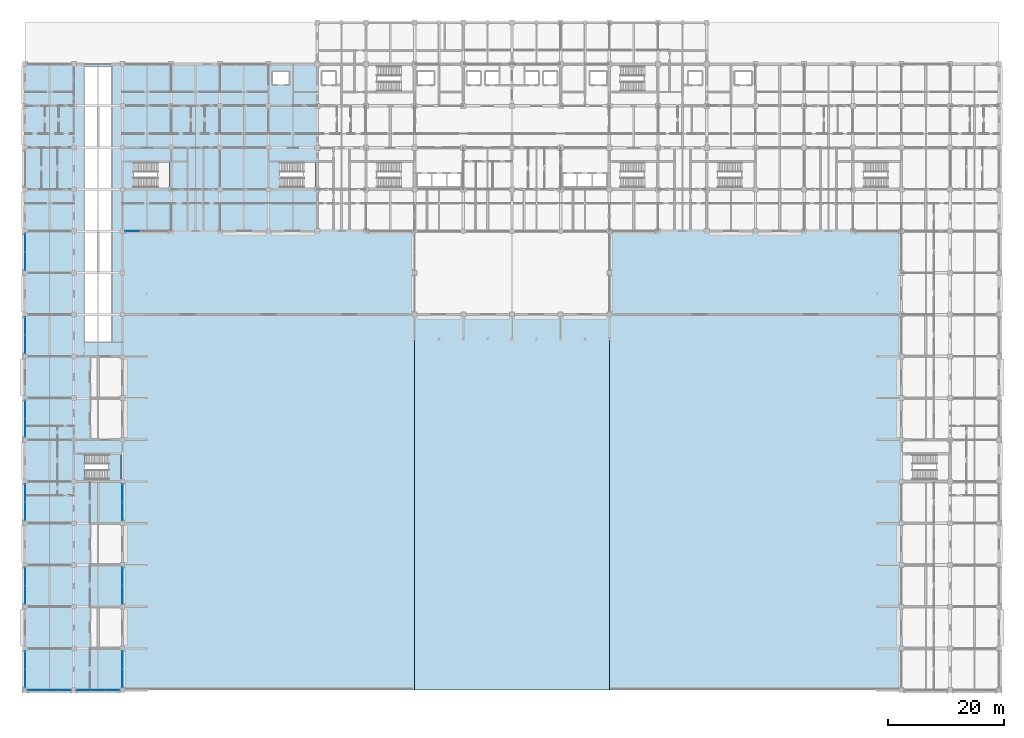
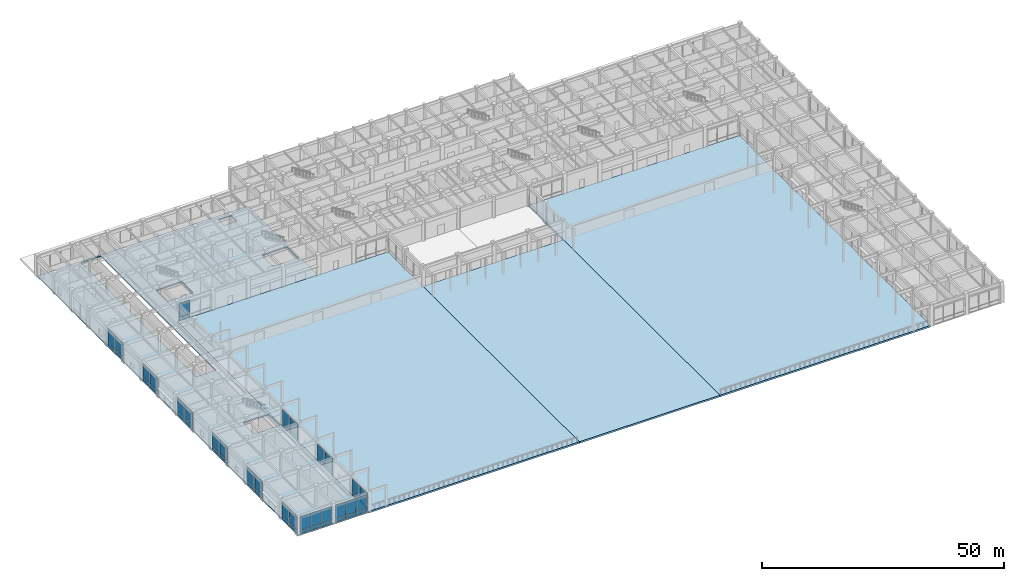
# One storey, part 33 of 73: 50 plates, 5 slabs, 13 elements without a shape of their own.
"""IFC4 building model written with IfcOpenShell, lengths in metres."""

from ifc_helpers import new_model, si_unit, direction, frame, origin, origin_2d, place, context, subcontext, project, spatial, polyline, rectangle, outline, extrude, material, layer, layer_set, type_object, element, aggregate, save


model = new_model("IFC4")

# Units and contexts
model_context = context("Model", 3, precision=1e-05, world=origin(), true_north=direction((0.0, 1.0)))
body_context = subcontext(model_context, "Body", "Model", "MODEL_VIEW")
ifc_project = project(units=[si_unit("LENGTHUNIT", "METRE"), si_unit("AREAUNIT", "SQUARE_METRE"), si_unit("VOLUMEUNIT", "CUBIC_METRE"), si_unit("PLANEANGLEUNIT", "RADIAN"), si_unit("MASSUNIT", "GRAM", prefix="KILO")], contexts=[model_context])

# Site, building, storey
site_placement = place(None, origin())
site = spatial("IfcSite", under=ifc_project, at=site_placement, CompositionType="ELEMENT")
building_placement = place(site_placement, origin())
building = spatial("IfcBuilding", under=site, at=building_placement, Name="Chengyuan Square Courthouse", CompositionType="ELEMENT")
storey_placement = place(building_placement, origin())
storey = spatial("IfcBuildingStorey", under=building, at=storey_placement, Name="L01", CompositionType="ELEMENT", Elevation=0.0)

# Curtain wall, plates
ifc_material_1 = material(Name="Unitised Aluminium and Triple Low-E Glass", Category="aluminium")
ifc_layer_1 = layer(ifc_material_1, 0.159912109375)
ifc_layer_set_1 = layer_set([ifc_layer_1], Name="Unitised Aluminium and Triple Low-E Glass")
curtain_wall_type_1 = type_object("IfcCurtainWallType", Name="CW-01", PredefinedType="USERDEFINED", material=ifc_layer_set_1)
curtain_wall_1_placement = place(storey_placement, origin())
curtain_wall_1 = element("IfcCurtainWall", 1, at=curtain_wall_1_placement, inside=storey, type_object=curtain_wall_type_1, Name="Unitised Curtain Wall CW-L01-001", ObjectType="UNITISED CURTAIN WALL", PredefinedType="USERDEFINED")
ifc_material_2 = material(Name="Triple Low-E Insulating Glass", Category="glass")
ifc_layer_2 = layer(ifc_material_2, 0.02392578125)
ifc_layer_set_2 = layer_set([ifc_layer_2], Name="Triple Low-E Insulating Glass")
plate_type_1 = type_object("IfcPlateType", Name="CWP-01", PredefinedType="CURTAIN_PANEL", material=ifc_layer_set_2)
plate_1_placement = place(storey_placement, frame((1.6982421875, 0.0, 0.06005859375), z_axis=(0.0, 0.0, 1.0), x_axis=(1.0, 0.0, 0.0)))
plate_1 = element("IfcPlate", 2, at=plate_1_placement, type_object=plate_type_1, Name="CW-01 panel 1.1", PredefinedType="CURTAIN_PANEL", context=body_context, shape_type="SweptSolid", body=[
    extrude(rectangle(XDim=2.4267578125, YDim=0.02392578125, at=origin_2d()), origin(), (0.0, 0.0, 1.0), 0.860107421875),
])
plate_2_placement = place(storey_placement, frame((1.6982421875, 0.0, 0.97998046875), z_axis=(0.0, 0.0, 1.0), x_axis=(1.0, 0.0, 0.0)))
plate_2 = element("IfcPlate", 3, at=plate_2_placement, type_object=plate_type_1, Name="CW-01 panel 1.2", PredefinedType="CURTAIN_PANEL", context=body_context, shape_type="SweptSolid", body=[
    extrude(rectangle(XDim=2.4267578125, YDim=0.02392578125, at=origin_2d()), origin(), (0.0, 0.0, 1.0), 3.429931640625),
])
plate_3_placement = place(storey_placement, frame((4.199951171875, 0.0, 0.06005859375), z_axis=(0.0, 0.0, 1.0), x_axis=(1.0, 0.0, 0.0)))
plate_3 = element("IfcPlate", 4, at=plate_3_placement, type_object=plate_type_1, Name="CW-01 panel 2.1", PredefinedType="CURTAIN_PANEL", context=body_context, shape_type="SweptSolid", body=[
    extrude(rectangle(XDim=2.456787109375, YDim=0.02392578125, at=origin_2d()), origin(), (0.0, 0.0, 1.0), 0.860107421875),
])
plate_4_placement = place(storey_placement, frame((4.199951171875, 0.0, 0.97998046875), z_axis=(0.0, 0.0, 1.0), x_axis=(1.0, 0.0, 0.0)))
plate_4 = element("IfcPlate", 5, at=plate_4_placement, type_object=plate_type_1, Name="CW-01 panel 2.2", PredefinedType="CURTAIN_PANEL", context=body_context, shape_type="SweptSolid", body=[
    extrude(rectangle(XDim=2.456787109375, YDim=0.02392578125, at=origin_2d()), origin(), (0.0, 0.0, 1.0), 3.429931640625),
])
plate_5_placement = place(storey_placement, frame((6.70166015625, 0.0, 0.06005859375), z_axis=(0.0, 0.0, 1.0), x_axis=(1.0, 0.0, 0.0)))
plate_5 = element("IfcPlate", 6, at=plate_5_placement, type_object=plate_type_1, Name="CW-01 panel 3.1", PredefinedType="CURTAIN_PANEL", context=body_context, shape_type="SweptSolid", body=[
    extrude(rectangle(XDim=2.4267578125, YDim=0.02392578125, at=origin_2d()), origin(), (0.0, 0.0, 1.0), 0.860107421875),
])
plate_6_placement = place(storey_placement, frame((6.70166015625, 0.0, 0.97998046875), z_axis=(0.0, 0.0, 1.0), x_axis=(1.0, 0.0, 0.0)))
plate_6 = element("IfcPlate", 7, at=plate_6_placement, type_object=plate_type_1, Name="CW-01 panel 3.2", PredefinedType="CURTAIN_PANEL", context=body_context, shape_type="SweptSolid", body=[
    extrude(rectangle(XDim=2.4267578125, YDim=0.02392578125, at=origin_2d()), origin(), (0.0, 0.0, 1.0), 3.429931640625),
])
aggregate(curtain_wall_1, [plate_1, plate_2, plate_3, plate_4, plate_5, plate_6])

curtain_wall_2_placement = place(storey_placement, origin())
curtain_wall_2 = element("IfcCurtainWall", 8, at=curtain_wall_2_placement, inside=storey, type_object=curtain_wall_type_1, Name="Unitised Curtain Wall CW-L01-010", ObjectType="UNITISED CURTAIN WALL", PredefinedType="USERDEFINED")
plate_7_placement = place(storey_placement, frame((10.098388671875, 0.0, 0.06005859375), z_axis=(0.0, 0.0, 1.0), x_axis=(1.0, 0.0, 0.0)))
plate_7 = element("IfcPlate", 9, at=plate_7_placement, type_object=plate_type_1, Name="CW-01 panel 1.1", PredefinedType="CURTAIN_PANEL", context=body_context, shape_type="SweptSolid", body=[
    extrude(rectangle(XDim=2.4267578125, YDim=0.02392578125, at=origin_2d()), origin(), (0.0, 0.0, 1.0), 0.860107421875),
])
plate_8_placement = place(storey_placement, frame((10.098388671875, 0.0, 0.97998046875), z_axis=(0.0, 0.0, 1.0), x_axis=(1.0, 0.0, 0.0)))
plate_8 = element("IfcPlate", 10, at=plate_8_placement, type_object=plate_type_1, Name="CW-01 panel 1.2", PredefinedType="CURTAIN_PANEL", context=body_context, shape_type="SweptSolid", body=[
    extrude(rectangle(XDim=2.4267578125, YDim=0.02392578125, at=origin_2d()), origin(), (0.0, 0.0, 1.0), 3.429931640625),
])
plate_9_placement = place(storey_placement, frame((12.60009765625, 0.0, 0.06005859375), z_axis=(0.0, 0.0, 1.0), x_axis=(1.0, 0.0, 0.0)))
plate_9 = element("IfcPlate", 11, at=plate_9_placement, type_object=plate_type_1, Name="CW-01 panel 2.1", PredefinedType="CURTAIN_PANEL", context=body_context, shape_type="SweptSolid", body=[
    extrude(rectangle(XDim=2.456787109375, YDim=0.02392578125, at=origin_2d()), origin(), (0.0, 0.0, 1.0), 0.860107421875),
])
plate_10_placement = place(storey_placement, frame((12.60009765625, 0.0, 0.97998046875), z_axis=(0.0, 0.0, 1.0), x_axis=(1.0, 0.0, 0.0)))
plate_10 = element("IfcPlate", 12, at=plate_10_placement, type_object=plate_type_1, Name="CW-01 panel 2.2", PredefinedType="CURTAIN_PANEL", context=body_context, shape_type="SweptSolid", body=[
    extrude(rectangle(XDim=2.456787109375, YDim=0.02392578125, at=origin_2d()), origin(), (0.0, 0.0, 1.0), 3.429931640625),
])
plate_11_placement = place(storey_placement, frame((15.1015625, 0.0, 0.06005859375), z_axis=(0.0, 0.0, 1.0), x_axis=(1.0, 0.0, 0.0)))
plate_11 = element("IfcPlate", 13, at=plate_11_placement, type_object=plate_type_1, Name="CW-01 panel 3.1", PredefinedType="CURTAIN_PANEL", context=body_context, shape_type="SweptSolid", body=[
    extrude(rectangle(XDim=2.4267578125, YDim=0.02392578125, at=origin_2d()), origin(), (0.0, 0.0, 1.0), 0.860107421875),
])
plate_12_placement = place(storey_placement, frame((15.1015625, 0.0, 0.97998046875), z_axis=(0.0, 0.0, 1.0), x_axis=(1.0, 0.0, 0.0)))
plate_12 = element("IfcPlate", 14, at=plate_12_placement, type_object=plate_type_1, Name="CW-01 panel 3.2", PredefinedType="CURTAIN_PANEL", context=body_context, shape_type="SweptSolid", body=[
    extrude(rectangle(XDim=2.4267578125, YDim=0.02392578125, at=origin_2d()), origin(), (0.0, 0.0, 1.0), 3.429931640625),
])
aggregate(curtain_wall_2, [plate_7, plate_8, plate_9, plate_10, plate_11, plate_12])

curtain_wall_3_placement = place(storey_placement, origin())
curtain_wall_3 = element("IfcCurtainWall", 15, at=curtain_wall_3_placement, inside=storey, type_object=curtain_wall_type_1, Name="Unitised Curtain Wall CW-L01-014", ObjectType="UNITISED CURTAIN WALL", PredefinedType="USERDEFINED")
plate_13_placement = place(storey_placement, frame((18.498291015625, 79.199951171875, 0.06005859375), z_axis=(0.0, 0.0, 1.0), x_axis=(1.0, 0.0, 0.0)))
plate_13 = element("IfcPlate", 16, at=plate_13_placement, type_object=plate_type_1, Name="CW-01 panel 1.1", PredefinedType="CURTAIN_PANEL", context=body_context, shape_type="SweptSolid", body=[
    extrude(rectangle(XDim=2.4267578125, YDim=0.02392578125, at=origin_2d()), origin(), (0.0, 0.0, 1.0), 0.860107421875),
])
plate_14_placement = place(storey_placement, frame((18.498291015625, 79.199951171875, 0.97998046875), z_axis=(0.0, 0.0, 1.0), x_axis=(1.0, 0.0, 0.0)))
plate_14 = element("IfcPlate", 17, at=plate_14_placement, type_object=plate_type_1, Name="CW-01 panel 1.2", PredefinedType="CURTAIN_PANEL", context=body_context, shape_type="SweptSolid", body=[
    extrude(rectangle(XDim=2.4267578125, YDim=0.02392578125, at=origin_2d()), origin(), (0.0, 0.0, 1.0), 3.429931640625),
])
aggregate(curtain_wall_3, [plate_13, plate_14])

ifc_layer_3 = layer(ifc_material_1, 0.179931640625)
ifc_layer_set_3 = layer_set([ifc_layer_3], Name="Unitised Aluminium and Triple Low-E Glass")
curtain_wall_type_2 = type_object("IfcCurtainWallType", Name="CW-14", PredefinedType="USERDEFINED", material=ifc_layer_set_3)
curtain_wall_4_placement = place(storey_placement, origin())
curtain_wall_4 = element("IfcCurtainWall", 18, at=curtain_wall_4_placement, inside=storey, type_object=curtain_wall_type_2, Name="Unitised Curtain Wall CW-L01-002", ObjectType="UNITISED CURTAIN WALL", PredefinedType="USERDEFINED")
ifc_layer_4 = layer(ifc_material_2, 0.031982421875)
ifc_layer_set_4 = layer_set([ifc_layer_4], Name="Triple Low-E Insulating Glass")
plate_type_2 = type_object("IfcPlateType", Name="CWP-02", PredefinedType="CURTAIN_PANEL", material=ifc_layer_set_4)
plate_15_placement = place(storey_placement, frame((0.0, 2.02880859375, 0.06494140625), z_axis=(0.0, 0.0, 1.0), x_axis=(0.0, 1.0, 0.0)))
plate_15 = element("IfcPlate", 19, at=plate_15_placement, type_object=plate_type_2, Name="CW-14 panel 1.1", PredefinedType="CURTAIN_PANEL", context=body_context, shape_type="SweptSolid", body=[
    extrude(rectangle(XDim=3.077392578125, YDim=0.031982421875, at=origin_2d()), origin(), (0.0, 0.0, 1.0), 0.8525390625),
])
plate_16_placement = place(storey_placement, frame((0.0, 2.02880859375, 0.982421875), z_axis=(0.0, 0.0, 1.0), x_axis=(0.0, 1.0, 0.0)))
plate_16 = element("IfcPlate", 20, at=plate_16_placement, type_object=plate_type_2, Name="CW-14 panel 1.2", PredefinedType="CURTAIN_PANEL", context=body_context, shape_type="SweptSolid", body=[
    extrude(rectangle(XDim=3.077392578125, YDim=0.031982421875, at=origin_2d()), origin(), (0.0, 0.0, 1.0), 3.422607421875),
])
plate_17_placement = place(storey_placement, frame((0.0, 5.171142578125, 0.06494140625), z_axis=(0.0, 0.0, 1.0), x_axis=(0.0, 1.0, 0.0)))
plate_17 = element("IfcPlate", 21, at=plate_17_placement, type_object=plate_type_2, Name="CW-14 panel 2.1", PredefinedType="CURTAIN_PANEL", context=body_context, shape_type="SweptSolid", body=[
    extrude(rectangle(XDim=3.077392578125, YDim=0.031982421875, at=origin_2d()), origin(), (0.0, 0.0, 1.0), 0.8525390625),
])
plate_18_placement = place(storey_placement, frame((0.0, 5.171142578125, 0.982421875), z_axis=(0.0, 0.0, 1.0), x_axis=(0.0, 1.0, 0.0)))
plate_18 = element("IfcPlate", 22, at=plate_18_placement, type_object=plate_type_2, Name="CW-14 panel 2.2", PredefinedType="CURTAIN_PANEL", context=body_context, shape_type="SweptSolid", body=[
    extrude(rectangle(XDim=3.077392578125, YDim=0.031982421875, at=origin_2d()), origin(), (0.0, 0.0, 1.0), 3.422607421875),
])
aggregate(curtain_wall_4, [plate_15, plate_16, plate_17, plate_18])

curtain_wall_5_placement = place(storey_placement, origin())
curtain_wall_5 = element("IfcCurtainWall", 23, at=curtain_wall_5_placement, inside=storey, type_object=curtain_wall_type_2, Name="Unitised Curtain Wall CW-L01-003", ObjectType="UNITISED CURTAIN WALL", PredefinedType="USERDEFINED")
plate_19_placement = place(storey_placement, frame((0.0, 16.4287109375, 0.06494140625), z_axis=(0.0, 0.0, 1.0), x_axis=(0.0, 1.0, 0.0)))
plate_19 = element("IfcPlate", 24, at=plate_19_placement, type_object=plate_type_2, Name="CW-14 panel 1.1", PredefinedType="CURTAIN_PANEL", context=body_context, shape_type="SweptSolid", body=[
    extrude(rectangle(XDim=3.077392578125, YDim=0.031982421875, at=origin_2d()), origin(), (0.0, 0.0, 1.0), 0.8525390625),
])
plate_20_placement = place(storey_placement, frame((0.0, 16.4287109375, 0.982421875), z_axis=(0.0, 0.0, 1.0), x_axis=(0.0, 1.0, 0.0)))
plate_20 = element("IfcPlate", 25, at=plate_20_placement, type_object=plate_type_2, Name="CW-14 panel 1.2", PredefinedType="CURTAIN_PANEL", context=body_context, shape_type="SweptSolid", body=[
    extrude(rectangle(XDim=3.077392578125, YDim=0.031982421875, at=origin_2d()), origin(), (0.0, 0.0, 1.0), 3.422607421875),
])
plate_21_placement = place(storey_placement, frame((0.0, 19.5712890625, 0.06494140625), z_axis=(0.0, 0.0, 1.0), x_axis=(0.0, 1.0, 0.0)))
plate_21 = element("IfcPlate", 26, at=plate_21_placement, type_object=plate_type_2, Name="CW-14 panel 2.1", PredefinedType="CURTAIN_PANEL", context=body_context, shape_type="SweptSolid", body=[
    extrude(rectangle(XDim=3.077392578125, YDim=0.031982421875, at=origin_2d()), origin(), (0.0, 0.0, 1.0), 0.8525390625),
])
plate_22_placement = place(storey_placement, frame((0.0, 19.5712890625, 0.982421875), z_axis=(0.0, 0.0, 1.0), x_axis=(0.0, 1.0, 0.0)))
plate_22 = element("IfcPlate", 27, at=plate_22_placement, type_object=plate_type_2, Name="CW-14 panel 2.2", PredefinedType="CURTAIN_PANEL", context=body_context, shape_type="SweptSolid", body=[
    extrude(rectangle(XDim=3.077392578125, YDim=0.031982421875, at=origin_2d()), origin(), (0.0, 0.0, 1.0), 3.422607421875),
])
aggregate(curtain_wall_5, [plate_19, plate_20, plate_21, plate_22])

curtain_wall_6_placement = place(storey_placement, origin())
curtain_wall_6 = element("IfcCurtainWall", 28, at=curtain_wall_6_placement, inside=storey, type_object=curtain_wall_type_2, Name="Unitised Curtain Wall CW-L01-004", ObjectType="UNITISED CURTAIN WALL", PredefinedType="USERDEFINED")
plate_23_placement = place(storey_placement, frame((0.0, 30.828857421875, 0.06494140625), z_axis=(0.0, 0.0, 1.0), x_axis=(0.0, 1.0, 0.0)))
plate_23 = element("IfcPlate", 29, at=plate_23_placement, type_object=plate_type_2, Name="CW-14 panel 1.1", PredefinedType="CURTAIN_PANEL", context=body_context, shape_type="SweptSolid", body=[
    extrude(rectangle(XDim=3.077392578125, YDim=0.031982421875, at=origin_2d()), origin(), (0.0, 0.0, 1.0), 0.8525390625),
])
plate_24_placement = place(storey_placement, frame((0.0, 30.828857421875, 0.982421875), z_axis=(0.0, 0.0, 1.0), x_axis=(0.0, 1.0, 0.0)))
plate_24 = element("IfcPlate", 30, at=plate_24_placement, type_object=plate_type_2, Name="CW-14 panel 1.2", PredefinedType="CURTAIN_PANEL", context=body_context, shape_type="SweptSolid", body=[
    extrude(rectangle(XDim=3.077392578125, YDim=0.031982421875, at=origin_2d()), origin(), (0.0, 0.0, 1.0), 3.422607421875),
])
plate_25_placement = place(storey_placement, frame((0.0, 33.97119140625, 0.06494140625), z_axis=(0.0, 0.0, 1.0), x_axis=(0.0, 1.0, 0.0)))
plate_25 = element("IfcPlate", 31, at=plate_25_placement, type_object=plate_type_2, Name="CW-14 panel 2.1", PredefinedType="CURTAIN_PANEL", context=body_context, shape_type="SweptSolid", body=[
    extrude(rectangle(XDim=3.077392578125, YDim=0.031982421875, at=origin_2d()), origin(), (0.0, 0.0, 1.0), 0.8525390625),
])
plate_26_placement = place(storey_placement, frame((0.0, 33.97119140625, 0.982421875), z_axis=(0.0, 0.0, 1.0), x_axis=(0.0, 1.0, 0.0)))
plate_26 = element("IfcPlate", 32, at=plate_26_placement, type_object=plate_type_2, Name="CW-14 panel 2.2", PredefinedType="CURTAIN_PANEL", context=body_context, shape_type="SweptSolid", body=[
    extrude(rectangle(XDim=3.077392578125, YDim=0.031982421875, at=origin_2d()), origin(), (0.0, 0.0, 1.0), 3.422607421875),
])
aggregate(curtain_wall_6, [plate_23, plate_24, plate_25, plate_26])

curtain_wall_7_placement = place(storey_placement, origin())
curtain_wall_7 = element("IfcCurtainWall", 33, at=curtain_wall_7_placement, inside=storey, type_object=curtain_wall_type_2, Name="Unitised Curtain Wall CW-L01-005", ObjectType="UNITISED CURTAIN WALL", PredefinedType="USERDEFINED")
plate_27_placement = place(storey_placement, frame((0.0, 45.228759765625, 0.06494140625), z_axis=(0.0, 0.0, 1.0), x_axis=(0.0, 1.0, 0.0)))
plate_27 = element("IfcPlate", 34, at=plate_27_placement, type_object=plate_type_2, Name="CW-14 panel 1.1", PredefinedType="CURTAIN_PANEL", context=body_context, shape_type="SweptSolid", body=[
    extrude(rectangle(XDim=3.077392578125, YDim=0.031982421875, at=origin_2d()), origin(), (0.0, 0.0, 1.0), 0.8525390625),
])
plate_28_placement = place(storey_placement, frame((0.0, 45.228759765625, 0.982421875), z_axis=(0.0, 0.0, 1.0), x_axis=(0.0, 1.0, 0.0)))
plate_28 = element("IfcPlate", 35, at=plate_28_placement, type_object=plate_type_2, Name="CW-14 panel 1.2", PredefinedType="CURTAIN_PANEL", context=body_context, shape_type="SweptSolid", body=[
    extrude(rectangle(XDim=3.077392578125, YDim=0.031982421875, at=origin_2d()), origin(), (0.0, 0.0, 1.0), 3.422607421875),
])
plate_29_placement = place(storey_placement, frame((0.0, 48.371337890625, 0.06494140625), z_axis=(0.0, 0.0, 1.0), x_axis=(0.0, 1.0, 0.0)))
plate_29 = element("IfcPlate", 36, at=plate_29_placement, type_object=plate_type_2, Name="CW-14 panel 2.1", PredefinedType="CURTAIN_PANEL", context=body_context, shape_type="SweptSolid", body=[
    extrude(rectangle(XDim=3.077392578125, YDim=0.031982421875, at=origin_2d()), origin(), (0.0, 0.0, 1.0), 0.8525390625),
])
plate_30_placement = place(storey_placement, frame((0.0, 48.371337890625, 0.982421875), z_axis=(0.0, 0.0, 1.0), x_axis=(0.0, 1.0, 0.0)))
plate_30 = element("IfcPlate", 37, at=plate_30_placement, type_object=plate_type_2, Name="CW-14 panel 2.2", PredefinedType="CURTAIN_PANEL", context=body_context, shape_type="SweptSolid", body=[
    extrude(rectangle(XDim=3.077392578125, YDim=0.031982421875, at=origin_2d()), origin(), (0.0, 0.0, 1.0), 3.422607421875),
])
aggregate(curtain_wall_7, [plate_27, plate_28, plate_29, plate_30])

curtain_wall_8_placement = place(storey_placement, origin())
curtain_wall_8 = element("IfcCurtainWall", 38, at=curtain_wall_8_placement, inside=storey, type_object=curtain_wall_type_2, Name="Unitised Curtain Wall CW-L01-006", ObjectType="UNITISED CURTAIN WALL", PredefinedType="USERDEFINED")
plate_31_placement = place(storey_placement, frame((0.0, 59.628662109375, 0.06494140625), z_axis=(0.0, 0.0, 1.0), x_axis=(0.0, 1.0, 0.0)))
plate_31 = element("IfcPlate", 39, at=plate_31_placement, type_object=plate_type_2, Name="CW-14 panel 1.1", PredefinedType="CURTAIN_PANEL", context=body_context, shape_type="SweptSolid", body=[
    extrude(rectangle(XDim=3.077392578125, YDim=0.031982421875, at=origin_2d()), origin(), (0.0, 0.0, 1.0), 0.8525390625),
])
plate_32_placement = place(storey_placement, frame((0.0, 59.628662109375, 0.982421875), z_axis=(0.0, 0.0, 1.0), x_axis=(0.0, 1.0, 0.0)))
plate_32 = element("IfcPlate", 40, at=plate_32_placement, type_object=plate_type_2, Name="CW-14 panel 1.2", PredefinedType="CURTAIN_PANEL", context=body_context, shape_type="SweptSolid", body=[
    extrude(rectangle(XDim=3.077392578125, YDim=0.031982421875, at=origin_2d()), origin(), (0.0, 0.0, 1.0), 3.422607421875),
])
plate_33_placement = place(storey_placement, frame((0.0, 62.771240234375, 0.06494140625), z_axis=(0.0, 0.0, 1.0), x_axis=(0.0, 1.0, 0.0)))
plate_33 = element("IfcPlate", 41, at=plate_33_placement, type_object=plate_type_2, Name="CW-14 panel 2.1", PredefinedType="CURTAIN_PANEL", context=body_context, shape_type="SweptSolid", body=[
    extrude(rectangle(XDim=3.077392578125, YDim=0.031982421875, at=origin_2d()), origin(), (0.0, 0.0, 1.0), 0.8525390625),
])
plate_34_placement = place(storey_placement, frame((0.0, 62.771240234375, 0.982421875), z_axis=(0.0, 0.0, 1.0), x_axis=(0.0, 1.0, 0.0)))
plate_34 = element("IfcPlate", 42, at=plate_34_placement, type_object=plate_type_2, Name="CW-14 panel 2.2", PredefinedType="CURTAIN_PANEL", context=body_context, shape_type="SweptSolid", body=[
    extrude(rectangle(XDim=3.077392578125, YDim=0.031982421875, at=origin_2d()), origin(), (0.0, 0.0, 1.0), 3.422607421875),
])
aggregate(curtain_wall_8, [plate_31, plate_32, plate_33, plate_34])

curtain_wall_9_placement = place(storey_placement, origin())
curtain_wall_9 = element("IfcCurtainWall", 43, at=curtain_wall_9_placement, inside=storey, type_object=curtain_wall_type_2, Name="Unitised Curtain Wall CW-L01-007", ObjectType="UNITISED CURTAIN WALL", PredefinedType="USERDEFINED")
plate_35_placement = place(storey_placement, frame((0.0, 74.02880859375, 0.06494140625), z_axis=(0.0, 0.0, 1.0), x_axis=(0.0, 1.0, 0.0)))
plate_35 = element("IfcPlate", 44, at=plate_35_placement, type_object=plate_type_2, Name="CW-14 panel 1.1", PredefinedType="CURTAIN_PANEL", context=body_context, shape_type="SweptSolid", body=[
    extrude(rectangle(XDim=3.077392578125, YDim=0.031982421875, at=origin_2d()), origin(), (0.0, 0.0, 1.0), 0.8525390625),
])
plate_36_placement = place(storey_placement, frame((0.0, 74.02880859375, 0.982421875), z_axis=(0.0, 0.0, 1.0), x_axis=(0.0, 1.0, 0.0)))
plate_36 = element("IfcPlate", 45, at=plate_36_placement, type_object=plate_type_2, Name="CW-14 panel 1.2", PredefinedType="CURTAIN_PANEL", context=body_context, shape_type="SweptSolid", body=[
    extrude(rectangle(XDim=3.077392578125, YDim=0.031982421875, at=origin_2d()), origin(), (0.0, 0.0, 1.0), 3.422607421875),
])
plate_37_placement = place(storey_placement, frame((0.0, 77.171142578125, 0.06494140625), z_axis=(0.0, 0.0, 1.0), x_axis=(0.0, 1.0, 0.0)))
plate_37 = element("IfcPlate", 46, at=plate_37_placement, type_object=plate_type_2, Name="CW-14 panel 2.1", PredefinedType="CURTAIN_PANEL", context=body_context, shape_type="SweptSolid", body=[
    extrude(rectangle(XDim=3.077392578125, YDim=0.031982421875, at=origin_2d()), origin(), (0.0, 0.0, 1.0), 0.8525390625),
])
plate_38_placement = place(storey_placement, frame((0.0, 77.171142578125, 0.982421875), z_axis=(0.0, 0.0, 1.0), x_axis=(0.0, 1.0, 0.0)))
plate_38 = element("IfcPlate", 47, at=plate_38_placement, type_object=plate_type_2, Name="CW-14 panel 2.2", PredefinedType="CURTAIN_PANEL", context=body_context, shape_type="SweptSolid", body=[
    extrude(rectangle(XDim=3.077392578125, YDim=0.031982421875, at=origin_2d()), origin(), (0.0, 0.0, 1.0), 3.422607421875),
])
aggregate(curtain_wall_9, [plate_35, plate_36, plate_37, plate_38])

curtain_wall_10_placement = place(storey_placement, origin())
curtain_wall_10 = element("IfcCurtainWall", 48, at=curtain_wall_10_placement, inside=storey, type_object=curtain_wall_type_2, Name="Unitised Curtain Wall CW-L01-011", ObjectType="UNITISED CURTAIN WALL", PredefinedType="USERDEFINED")
plate_39_placement = place(storey_placement, frame((16.800048828125, 2.02880859375, 0.06494140625), z_axis=(0.0, 0.0, 1.0), x_axis=(0.0, 1.0, 0.0)))
plate_39 = element("IfcPlate", 49, at=plate_39_placement, type_object=plate_type_2, Name="CW-14 panel 1.1", PredefinedType="CURTAIN_PANEL", context=body_context, shape_type="SweptSolid", body=[
    extrude(rectangle(XDim=3.077392578125, YDim=0.031982421875, at=origin_2d()), origin(), (0.0, 0.0, 1.0), 0.8525390625),
])
plate_40_placement = place(storey_placement, frame((16.800048828125, 2.02880859375, 0.982421875), z_axis=(0.0, 0.0, 1.0), x_axis=(0.0, 1.0, 0.0)))
plate_40 = element("IfcPlate", 50, at=plate_40_placement, type_object=plate_type_2, Name="CW-14 panel 1.2", PredefinedType="CURTAIN_PANEL", context=body_context, shape_type="SweptSolid", body=[
    extrude(rectangle(XDim=3.077392578125, YDim=0.031982421875, at=origin_2d()), origin(), (0.0, 0.0, 1.0), 3.422607421875),
])
plate_41_placement = place(storey_placement, frame((16.800048828125, 5.171142578125, 0.06494140625), z_axis=(0.0, 0.0, 1.0), x_axis=(0.0, 1.0, 0.0)))
plate_41 = element("IfcPlate", 51, at=plate_41_placement, type_object=plate_type_2, Name="CW-14 panel 2.1", PredefinedType="CURTAIN_PANEL", context=body_context, shape_type="SweptSolid", body=[
    extrude(rectangle(XDim=3.077392578125, YDim=0.031982421875, at=origin_2d()), origin(), (0.0, 0.0, 1.0), 0.8525390625),
])
plate_42_placement = place(storey_placement, frame((16.800048828125, 5.171142578125, 0.982421875), z_axis=(0.0, 0.0, 1.0), x_axis=(0.0, 1.0, 0.0)))
plate_42 = element("IfcPlate", 52, at=plate_42_placement, type_object=plate_type_2, Name="CW-14 panel 2.2", PredefinedType="CURTAIN_PANEL", context=body_context, shape_type="SweptSolid", body=[
    extrude(rectangle(XDim=3.077392578125, YDim=0.031982421875, at=origin_2d()), origin(), (0.0, 0.0, 1.0), 3.422607421875),
])
aggregate(curtain_wall_10, [plate_39, plate_40, plate_41, plate_42])

curtain_wall_11_placement = place(storey_placement, origin())
curtain_wall_11 = element("IfcCurtainWall", 53, at=curtain_wall_11_placement, inside=storey, type_object=curtain_wall_type_2, Name="Unitised Curtain Wall CW-L01-012", ObjectType="UNITISED CURTAIN WALL", PredefinedType="USERDEFINED")
plate_43_placement = place(storey_placement, frame((16.800048828125, 16.4287109375, 0.06494140625), z_axis=(0.0, 0.0, 1.0), x_axis=(0.0, 1.0, 0.0)))
plate_43 = element("IfcPlate", 54, at=plate_43_placement, type_object=plate_type_2, Name="CW-14 panel 1.1", PredefinedType="CURTAIN_PANEL", context=body_context, shape_type="SweptSolid", body=[
    extrude(rectangle(XDim=3.077392578125, YDim=0.031982421875, at=origin_2d()), origin(), (0.0, 0.0, 1.0), 0.8525390625),
])
plate_44_placement = place(storey_placement, frame((16.800048828125, 16.4287109375, 0.982421875), z_axis=(0.0, 0.0, 1.0), x_axis=(0.0, 1.0, 0.0)))
plate_44 = element("IfcPlate", 55, at=plate_44_placement, type_object=plate_type_2, Name="CW-14 panel 1.2", PredefinedType="CURTAIN_PANEL", context=body_context, shape_type="SweptSolid", body=[
    extrude(rectangle(XDim=3.077392578125, YDim=0.031982421875, at=origin_2d()), origin(), (0.0, 0.0, 1.0), 3.422607421875),
])
plate_45_placement = place(storey_placement, frame((16.800048828125, 19.5712890625, 0.06494140625), z_axis=(0.0, 0.0, 1.0), x_axis=(0.0, 1.0, 0.0)))
plate_45 = element("IfcPlate", 56, at=plate_45_placement, type_object=plate_type_2, Name="CW-14 panel 2.1", PredefinedType="CURTAIN_PANEL", context=body_context, shape_type="SweptSolid", body=[
    extrude(rectangle(XDim=3.077392578125, YDim=0.031982421875, at=origin_2d()), origin(), (0.0, 0.0, 1.0), 0.8525390625),
])
plate_46_placement = place(storey_placement, frame((16.800048828125, 19.5712890625, 0.982421875), z_axis=(0.0, 0.0, 1.0), x_axis=(0.0, 1.0, 0.0)))
plate_46 = element("IfcPlate", 57, at=plate_46_placement, type_object=plate_type_2, Name="CW-14 panel 2.2", PredefinedType="CURTAIN_PANEL", context=body_context, shape_type="SweptSolid", body=[
    extrude(rectangle(XDim=3.077392578125, YDim=0.031982421875, at=origin_2d()), origin(), (0.0, 0.0, 1.0), 3.422607421875),
])
aggregate(curtain_wall_11, [plate_43, plate_44, plate_45, plate_46])

curtain_wall_12_placement = place(storey_placement, origin())
curtain_wall_12 = element("IfcCurtainWall", 58, at=curtain_wall_12_placement, inside=storey, type_object=curtain_wall_type_2, Name="Unitised Curtain Wall CW-L01-013", ObjectType="UNITISED CURTAIN WALL", PredefinedType="USERDEFINED")
plate_47_placement = place(storey_placement, frame((16.800048828125, 30.828857421875, 0.06494140625), z_axis=(0.0, 0.0, 1.0), x_axis=(0.0, 1.0, 0.0)))
plate_47 = element("IfcPlate", 59, at=plate_47_placement, type_object=plate_type_2, Name="CW-14 panel 1.1", PredefinedType="CURTAIN_PANEL", context=body_context, shape_type="SweptSolid", body=[
    extrude(rectangle(XDim=3.077392578125, YDim=0.031982421875, at=origin_2d()), origin(), (0.0, 0.0, 1.0), 0.8525390625),
])
plate_48_placement = place(storey_placement, frame((16.800048828125, 30.828857421875, 0.982421875), z_axis=(0.0, 0.0, 1.0), x_axis=(0.0, 1.0, 0.0)))
plate_48 = element("IfcPlate", 60, at=plate_48_placement, type_object=plate_type_2, Name="CW-14 panel 1.2", PredefinedType="CURTAIN_PANEL", context=body_context, shape_type="SweptSolid", body=[
    extrude(rectangle(XDim=3.077392578125, YDim=0.031982421875, at=origin_2d()), origin(), (0.0, 0.0, 1.0), 3.422607421875),
])
plate_49_placement = place(storey_placement, frame((16.800048828125, 33.97119140625, 0.06494140625), z_axis=(0.0, 0.0, 1.0), x_axis=(0.0, 1.0, 0.0)))
plate_49 = element("IfcPlate", 61, at=plate_49_placement, type_object=plate_type_2, Name="CW-14 panel 2.1", PredefinedType="CURTAIN_PANEL", context=body_context, shape_type="SweptSolid", body=[
    extrude(rectangle(XDim=3.077392578125, YDim=0.031982421875, at=origin_2d()), origin(), (0.0, 0.0, 1.0), 0.8525390625),
])
plate_50_placement = place(storey_placement, frame((16.800048828125, 33.97119140625, 0.982421875), z_axis=(0.0, 0.0, 1.0), x_axis=(0.0, 1.0, 0.0)))
plate_50 = element("IfcPlate", 62, at=plate_50_placement, type_object=plate_type_2, Name="CW-14 panel 2.2", PredefinedType="CURTAIN_PANEL", context=body_context, shape_type="SweptSolid", body=[
    extrude(rectangle(XDim=3.077392578125, YDim=0.031982421875, at=origin_2d()), origin(), (0.0, 0.0, 1.0), 3.422607421875),
])
aggregate(curtain_wall_12, [plate_47, plate_48, plate_49, plate_50])

# Slabs
ifc_material_3 = material(Name="Concrete C40", Category="concrete")
ifc_layer_5 = layer(ifc_material_3, 0.419921875)
ifc_layer_set_5 = layer_set([ifc_layer_5], Name="Concrete C40")
slab_type_1 = type_object("IfcSlabType", Name="SL-APR", PredefinedType="ROOF", material=ifc_layer_set_5)
slab_1_placement = place(storey_placement, frame((0.0, 0.0, -0.419921875)))
element("IfcSlab", 63, at=slab_1_placement, inside=storey, type_object=slab_type_1, Name="Civic Forecourt and Service Apron Deck SL-FC-12", PredefinedType="ROOF", context=body_context, shape_type="SweptSolid", body=[
    extrude(outline(polyline([(16.800048828125, 28.800048828125), (16.800048828125, 36.0), (16.800048828125, 43.199951171875), (16.800048828125, 50.39990234375), (16.800048828125, 57.60009765625), (16.800048828125, 64.800048828125), (16.800048828125, 72.0), (16.800048828125, 79.199951171875), (25.199951171875, 79.199951171875), (33.60009765625, 79.199951171875), (42.0, 79.199951171875), (50.39990234375, 79.199951171875), (58.800048828125, 79.199951171875), (67.199951171875, 79.199951171875), (67.199951171875, 72.0), (67.199951171875, 64.800048828125), (67.199951171875, 0.0), (58.800048828125, 0.0), (50.39990234375, 0.0), (42.0, 0.0), (33.60009765625, 0.0), (25.199951171875, 0.0), (16.800048828125, 0.0), (16.800048828125, 7.199951171875), (16.800048828125, 14.39990234375), (16.800048828125, 21.60009765625), (16.800048828125, 28.800048828125)])), origin(), (0.0, 0.0, 1.0), 0.419921875),
])
slab_2_placement = place(storey_placement, frame((0.0, 0.0, -0.419921875)))
element("IfcSlab", 64, at=slab_2_placement, inside=storey, type_object=slab_type_1, Name="Civic Forecourt and Service Apron Deck SL-FC-21", PredefinedType="ROOF", context=body_context, shape_type="SweptSolid", body=[
    extrude(outline(polyline([(75.60009765625, 64.800048828125), (84.0, 64.800048828125), (92.39990234375, 64.800048828125), (100.800048828125, 64.800048828125), (100.800048828125, 0.0), (92.39990234375, 0.0), (84.0, 0.0), (75.60009765625, 0.0), (67.199951171875, 0.0), (67.199951171875, 64.800048828125), (75.60009765625, 64.800048828125)])), origin(), (0.0, 0.0, 1.0), 0.419921875),
])
slab_3_placement = place(storey_placement, frame((0.0, 0.0, -0.419921875)))
element("IfcSlab", 65, at=slab_3_placement, inside=storey, type_object=slab_type_1, Name="Civic Forecourt and Service Apron Deck SL-FC-31", PredefinedType="ROOF", context=body_context, shape_type="SweptSolid", body=[
    extrude(outline(polyline([(100.800048828125, 72.0), (100.800048828125, 79.199951171875), (109.199951171875, 79.199951171875), (117.60009765625, 79.199951171875), (126.0, 79.199951171875), (134.39990234375, 79.199951171875), (142.800048828125, 79.199951171875), (151.199951171875, 79.199951171875), (151.199951171875, 72.0), (151.199951171875, 64.800048828125), (151.199951171875, 57.60009765625), (151.199951171875, 50.39990234375), (151.199951171875, 43.199951171875), (151.199951171875, 36.0), (151.199951171875, 28.800048828125), (151.199951171875, 21.60009765625), (151.199951171875, 14.39990234375), (151.199951171875, 7.199951171875), (151.199951171875, 0.0), (142.800048828125, 0.0), (134.39990234375, 0.0), (126.0, 0.0), (117.60009765625, 0.0), (109.199951171875, 0.0), (100.800048828125, 0.0), (100.800048828125, 64.800048828125), (100.800048828125, 72.0)])), origin(), (0.0, 0.0, 1.0), 0.419921875),
])
ifc_layer_6 = layer(ifc_material_3, 0.300048828125)
ifc_layer_set_6 = layer_set([ifc_layer_6], Name="Concrete C40")
slab_type_2 = type_object("IfcSlabType", Name="SL-L01", PredefinedType="FLOOR", material=ifc_layer_set_6)
slab_4_placement = place(storey_placement, frame((0.0, 0.0, -0.300048828125)))
element("IfcSlab", 66, at=slab_4_placement, inside=storey, type_object=slab_type_2, Name="Suspended Floor Slab SL-L01-01", PredefinedType="FLOOR", context=body_context, shape_type="SweptSolid", body=[
    extrude(outline(polyline([(0.0, 36.0), (0.0, 43.199951171875), (0.0, 50.39990234375), (0.0, 57.60009765625), (0.0, 64.800048828125), (0.0, 72.0), (0.0, 79.199951171875), (0.0, 86.39990234375), (0.0, 93.60009765625), (0.0, 100.800048828125), (0.0, 108.0), (8.39990234375, 108.0), (16.800048828125, 108.0), (25.199951171875, 108.0), (33.60009765625, 108.0), (42.0, 108.0), (50.39990234375, 108.0), (50.39990234375, 79.199951171875), (42.0, 79.199951171875), (33.60009765625, 79.199951171875), (25.199951171875, 79.199951171875), (16.800048828125, 79.199951171875), (16.800048828125, 72.0), (16.800048828125, 64.800048828125), (16.800048828125, 57.60009765625), (16.800048828125, 50.39990234375), (16.800048828125, 43.199951171875), (16.800048828125, 36.0), (16.800048828125, 28.800048828125), (16.800048828125, 21.60009765625), (16.800048828125, 14.39990234375), (16.800048828125, 7.199951171875), (16.800048828125, 0.0), (8.39990234375, 0.0), (0.0, 0.0), (0.0, 7.199951171875), (0.0, 14.39990234375), (0.0, 21.60009765625), (0.0, 28.800048828125), (0.0, 36.0)]), holes=[polyline([(10.35009765625, 40.800048828125), (10.35009765625, 36.199951171875), (16.5, 36.199951171875), (16.5, 40.800048828125), (10.35009765625, 40.800048828125)]), polyline([(15.0, 107.60009765625), (10.199951171875, 107.60009765625), (10.199951171875, 60.0), (15.0, 60.0), (15.0, 107.60009765625)]), polyline([(24.89990234375, 91.199951171875), (18.75, 91.199951171875), (18.75, 86.60009765625), (24.89990234375, 86.60009765625), (24.89990234375, 91.199951171875)]), polyline([(43.949951171875, 91.199951171875), (43.949951171875, 86.60009765625), (50.10009765625, 86.60009765625), (50.10009765625, 91.199951171875), (43.949951171875, 91.199951171875)]), polyline([(45.60009765625, 106.800048828125), (42.60009765625, 106.800048828125), (42.60009765625, 104.39990234375), (45.60009765625, 104.39990234375), (45.60009765625, 106.800048828125)])]), origin(), (0.0, 0.0, 1.0), 0.300048828125),
])

# Stair, slab
stair_type = type_object("IfcStairType", Name="ST-TYPE-07", PredefinedType="HALF_TURN_STAIR", material=ifc_material_3)
stair_placement = place(storey_placement, origin())
stair = element("IfcStair", 67, at=stair_placement, inside=storey, type_object=stair_type, Name="Smoke-Proof Exit Stair ST-7 (L01 to L02)", PredefinedType="HALF_TURN_STAIR")
ifc_layer_7 = layer(ifc_material_3, 0.18994140625)
ifc_layer_set_7 = layer_set([ifc_layer_7], Name="Concrete C40")
slab_type_3 = type_object("IfcSlabType", Name="SL-LND1", PredefinedType="LANDING", material=ifc_layer_set_7)
slab_5_placement = place(storey_placement, frame((0.0, 0.0, 2.510009765625)))
slab_5 = element("IfcSlab", 68, at=slab_5_placement, type_object=slab_type_3, Name="ST-7 landing 1", PredefinedType="LANDING", context=body_context, shape_type="SweptSolid", body=[
    extrude(outline(polyline([(14.330078125, 36.159912109375), (16.5400390625, 36.159912109375), (16.5400390625, 40.840087890625), (14.330078125, 40.840087890625), (14.330078125, 36.159912109375)])), origin(), (0.0, 0.0, 1.0), 0.18994140625),
])
aggregate(stair, [slab_5])

save(model, "model.ifc")
